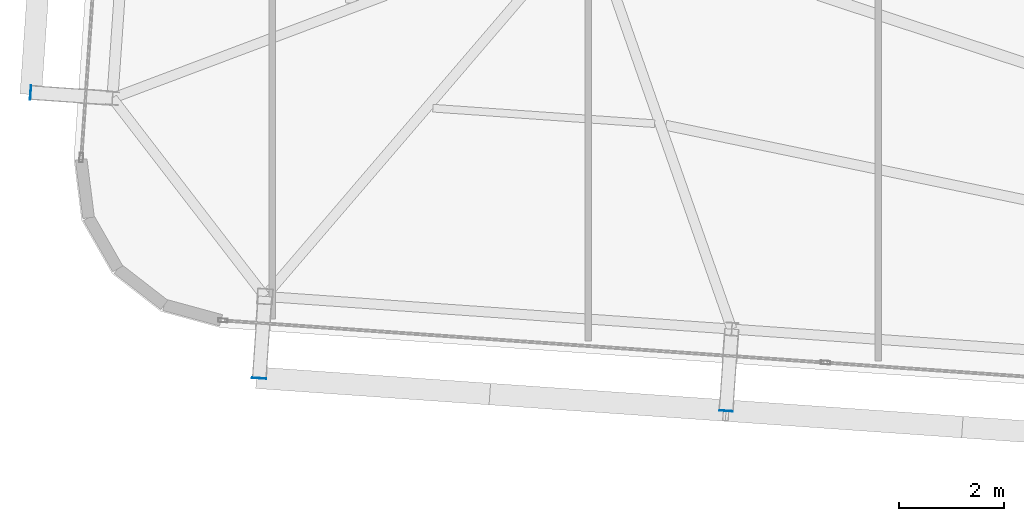
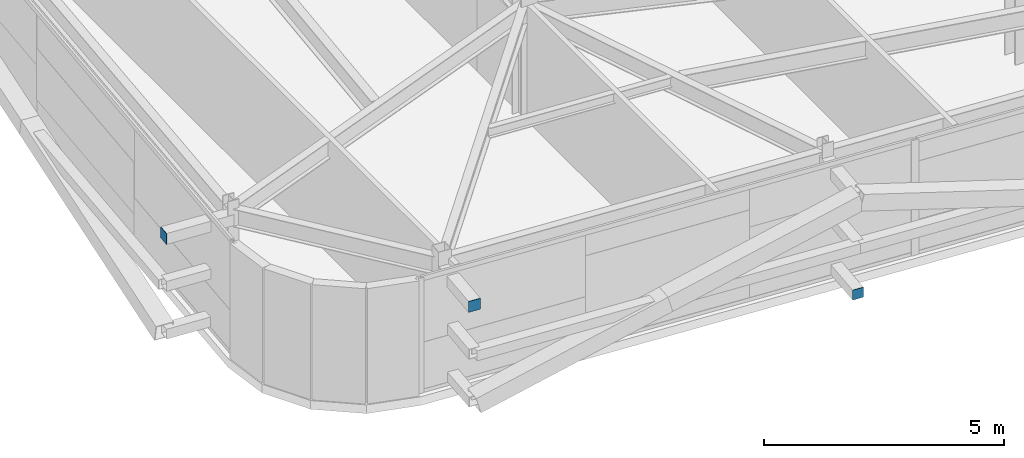
# One storey, part 27 of 39: 3 plates.
"""IFC4 building model written with IfcOpenShell, lengths in metres."""

import ifcopenshell
import ifcopenshell.guid

model = None  # the IFC model being written
_history = None  # IfcOwnerHistory: only IFC2X3 demands one
_inside = {}  # id of a spatial element -> (the spatial element, [elements in it])
_under = {}  # id of a project, library or spatial element -> (it, [spatial elements below it])
_declared = {}  # id of a project -> (the project, [libraries it declares])
_typed = {}  # id of a type object -> (the type object, [elements of that type])
_made_of = {}  # id of a material, layer set ... -> (it, [elements and type objects made of it])


def new_model(schema):
    """Start an empty IFC model of exactly this schema.

    Asked for "IFC4X3", IfcOpenShell would pick the latest addendum, in which some entities
    have other attributes; the version numbers below select the first issue.
    IFC2X3 requires an IfcOwnerHistory on every rooted entity: one is made here for all.
    """
    global model, _history
    if schema == "IFC4X3":
        model = ifcopenshell.file(schema_version=(4, 3, 0, 0))
    else:
        model = ifcopenshell.file(schema=schema)
    _inside.clear()
    _under.clear()
    _declared.clear()
    _typed.clear()
    _made_of.clear()
    _history = None
    if model.schema == "IFC2X3":
        org = make("IfcOrganization", Name="unknown")
        user = make(
            "IfcPersonAndOrganization",
            ThePerson=make("IfcPerson", FamilyName="unknown"),
            TheOrganization=org,
        )
        app = make(
            "IfcApplication",
            ApplicationDeveloper=org,
            Version="unknown",
            ApplicationFullName="unknown",
            ApplicationIdentifier="unknown",
        )
        _history = make(
            "IfcOwnerHistory",
            OwningUser=user,
            OwningApplication=app,
            ChangeAction="ADDED",
            CreationDate=0,
        )
    return model


def make(cls, **values):
    """One entity of the class cls with the attributes given. An attribute that is None is left unset."""
    return model.create_entity(
        cls, **{name: value for name, value in values.items() if value is not None}
    )


def rooted(cls, **values):
    """An entity with a GlobalId (a new one), such as an element, a storey or a relation."""
    return make(cls, GlobalId=ifcopenshell.guid.new(), OwnerHistory=_history, **values)


def si_unit(unit_type, name, prefix=None):
    """IfcSIUnit, for example si_unit("LENGTHUNIT", "METRE", prefix="MILLI")."""
    return make("IfcSIUnit", UnitType=unit_type, Prefix=prefix, Name=name)


def assignment(units):
    """IfcUnitAssignment: the units of a project."""
    return None if units is None else make("IfcUnitAssignment", Units=units)


def point(xyz):
    """IfcCartesianPoint."""
    return None if xyz is None else make("IfcCartesianPoint", Coordinates=xyz)


def direction(xyz):
    """IfcDirection."""
    return None if xyz is None else make("IfcDirection", DirectionRatios=xyz)


def frame(location, z_axis=None, x_axis=None):
    """IfcAxis2Placement3D, a coordinate frame: its origin and axes. An axis left out is left unset."""
    return make(
        "IfcAxis2Placement3D",
        Location=point(location),
        Axis=direction(z_axis),
        RefDirection=direction(x_axis),
    )


def frame_2d(location, x_axis=None):
    """IfcAxis2Placement2D, a coordinate frame in the plane: its origin and x axis."""
    return make(
        "IfcAxis2Placement2D", Location=point(location), RefDirection=direction(x_axis)
    )


def origin():
    """The frame at (0, 0, 0) with its axes left unset."""
    return frame((0.0, 0.0, 0.0))


def origin_2d():
    """The frame at (0, 0) in the plane with its x axis left unset."""
    return frame_2d((0.0, 0.0))


def place(relative_to, where):
    """IfcLocalPlacement: puts the frame where relative to a parent placement (None: the world)."""
    return make(
        "IfcLocalPlacement", PlacementRelTo=relative_to, RelativePlacement=where
    )


def context(
    kind, dimensions, precision=None, world=None, true_north=None, identifier=None
):
    """IfcGeometricRepresentationContext, for example the 3D "Model" context."""
    return make(
        "IfcGeometricRepresentationContext",
        ContextIdentifier=identifier,
        ContextType=kind,
        CoordinateSpaceDimension=dimensions,
        Precision=precision,
        WorldCoordinateSystem=world,
        TrueNorth=true_north,
    )


def subcontext(parent, identifier, kind, view, scale=None):
    """IfcGeometricRepresentationSubContext, for example "Body" below "Model"."""
    return make(
        "IfcGeometricRepresentationSubContext",
        ContextIdentifier=identifier,
        ContextType=kind,
        ParentContext=parent,
        TargetScale=scale,
        TargetView=view,
    )


def project(units=None, contexts=None):
    """IfcProject with its units and contexts."""
    return rooted(
        "IfcProject",
        Name="project",
        RepresentationContexts=contexts,
        UnitsInContext=assignment(units),
    )


def spatial(cls, under=None, at=None, **own):
    """A site, building, storey or space (cls), placed at a placement, below another one or the project."""
    s = rooted(cls, ObjectPlacement=at, **own)
    if under is not None:
        _under.setdefault(under.id(), (under, []))[1].append(s)
    return s


def profile(cls, at=None, kind="AREA", **sizes):
    """A parametric profile (cls). Its sizes go by their IFC names, for example OverallWidth=200.0."""
    return make(cls, ProfileType=kind, Position=at, **sizes)


def rectangle(**sizes):
    """IfcRectangleProfileDef."""
    return profile("IfcRectangleProfileDef", **sizes)


def extrude(swept, where, along, depth):
    """IfcExtrudedAreaSolid: the profile swept, set in the frame where, extruded along a direction by depth."""
    return make(
        "IfcExtrudedAreaSolid",
        SweptArea=swept,
        Position=where,
        ExtrudedDirection=direction(along),
        Depth=depth,
    )


def shape(context_of_items, identifier, shape_type, items):
    """IfcShapeRepresentation: the items that make up one representation, for example the "Body"."""
    return make(
        "IfcShapeRepresentation",
        ContextOfItems=context_of_items,
        RepresentationIdentifier=identifier,
        RepresentationType=shape_type,
        Items=items,
    )


def source(mapping_origin, context_of_items, identifier, shape_type, items):
    """IfcRepresentationMap: a shape defined once, which mapped items show again and again."""
    return make(
        "IfcRepresentationMap",
        MappingOrigin=mapping_origin,
        MappedRepresentation=shape(context_of_items, identifier, shape_type, items),
    )


def transform(
    local_origin,
    x_axis=None,
    y_axis=None,
    z_axis=None,
    scale=None,
    scale2=None,
    scale3=None,
    uniform=True,
):
    """IfcCartesianTransformationOperator3D, or its non-uniform kind. x_axis, y_axis, z_axis: its Axis1, 2, 3."""
    if uniform:
        return make(
            "IfcCartesianTransformationOperator3D",
            Axis1=direction(x_axis),
            Axis2=direction(y_axis),
            LocalOrigin=point(local_origin),
            Scale=scale,
            Axis3=direction(z_axis),
        )
    return make(
        "IfcCartesianTransformationOperator3DnonUniform",
        Axis1=direction(x_axis),
        Axis2=direction(y_axis),
        LocalOrigin=point(local_origin),
        Scale=scale,
        Axis3=direction(z_axis),
        Scale2=scale2,
        Scale3=scale3,
    )


def mapped(mapping_source, mapping_target):
    """IfcMappedItem: shows the shape of a source again, moved by a transform."""
    return make(
        "IfcMappedItem", MappingSource=mapping_source, MappingTarget=mapping_target
    )


def material(Name=None, Category=None):
    """IfcMaterial."""
    return make("IfcMaterial", Name=Name, Category=Category)


def layer(
    of_material, thickness, ventilated=None, Name=None, Category=None, Priority=None
):
    """IfcMaterialLayer: one layer of a wall or slab, of a material (None: an air gap)."""
    return make(
        "IfcMaterialLayer",
        Material=of_material,
        LayerThickness=thickness,
        IsVentilated=ventilated,
        Name=Name,
        Category=Category,
        Priority=Priority,
    )


def layer_set(layers, Name=None):
    """IfcMaterialLayerSet."""
    return make("IfcMaterialLayerSet", MaterialLayers=layers, LayerSetName=Name)


def made_of(thing, what):
    """Note that an element or type object is made of a material, layer set ...; save() writes the relation."""
    if what is not None:
        _made_of.setdefault(what.id(), (what, []))[1].append(thing)
    return thing


def type_object(cls, material=None, **own):
    """A type object (cls), such as IfcWallType, which elements share."""
    return made_of(rooted(cls, **own), material)


def element(
    cls,
    number,
    at=None,
    inside=None,
    cuts=None,
    type_object=None,
    material=None,
    context=None,
    identifier="Body",
    shape_type=None,
    held_by="IfcProductDefinitionShape",
    body=None,
    shapes=None,
    **own,
):
    """One element of the class cls, such as IfcWall. Its Tag is "e" and its number.

    at: its placement. inside: the storey or other place that contains it. cuts: it is an
    opening in that element (IfcRelVoidsElement). A single representation is given by context,
    identifier, shape_type and body (its items); several are given by shapes. held_by: the class
    of the entity that holds the representations. save() writes the other relations.
    """
    e = rooted(cls, Tag="e%d" % number, ObjectPlacement=at, **own)
    if body is not None:
        shapes = [shape(context, identifier, shape_type, body)]
    if shapes is not None:
        e.Representation = make(held_by, Representations=shapes)
    if inside is not None:
        _inside.setdefault(inside.id(), (inside, []))[1].append(e)
    if cuts is not None:
        rooted(
            "IfcRelVoidsElement", RelatingBuildingElement=cuts, RelatedOpeningElement=e
        )
    if type_object is not None:
        _typed.setdefault(type_object.id(), (type_object, []))[1].append(e)
    return made_of(e, material)


def aggregate(whole, parts):
    """IfcRelAggregates: a whole, such as a stair, and the parts it consists of."""
    return rooted("IfcRelAggregates", RelatingObject=whole, RelatedObjects=parts)


def save(model, path):
    """Write the relations noted so far, then the file.

    IfcRelAggregates (storeys below a building ...), IfcRelContainedInSpatialStructure (elements
    in a storey), IfcRelDefinesByType, IfcRelAssociatesMaterial and IfcRelDeclares: one each for
    every whole, place, type object, material and project.
    """
    for whole, parts in _under.values():
        aggregate(whole, parts)
    for where, things in _inside.values():
        rooted(
            "IfcRelContainedInSpatialStructure",
            RelatedElements=things,
            RelatingStructure=where,
        )
    for kind, things in _typed.values():
        rooted("IfcRelDefinesByType", RelatedObjects=things, RelatingType=kind)
    for what, things in _made_of.values():
        rooted("IfcRelAssociatesMaterial", RelatedObjects=things, RelatingMaterial=what)
    for by, libraries in _declared.values():
        rooted("IfcRelDeclares", RelatingContext=by, RelatedDefinitions=libraries)
    model.write(path)


model = new_model("IFC4")

# Units and contexts
model_context = context("Model", 3, precision=1e-05, world=origin(), true_north=direction((0.0, 1.0)))
body_context = subcontext(model_context, "Body", "Model", "MODEL_VIEW")
ifc_project = project(units=[si_unit("LENGTHUNIT", "METRE"), si_unit("AREAUNIT", "SQUARE_METRE"), si_unit("VOLUMEUNIT", "CUBIC_METRE"), si_unit("PLANEANGLEUNIT", "RADIAN"), si_unit("MASSUNIT", "GRAM", prefix="KILO")], contexts=[model_context])

# Site, building, storey
site_placement = place(None, origin())
site = spatial("IfcSite", under=ifc_project, at=site_placement, CompositionType="ELEMENT")
building_placement = place(site_placement, origin())
building = spatial("IfcBuilding", under=site, at=building_placement, Name="Taldren Reach Tower", CompositionType="ELEMENT")
storey_placement = place(building_placement, frame((0.0, 0.0, 120.39990234375)))
storey = spatial("IfcBuildingStorey", under=building, at=storey_placement, Name="L36", CompositionType="ELEMENT", Elevation=120.39990234375)

# Plates
ifc_material_1 = material(Name="Steel Gr 450 (C450L0)", Category="steel")
ifc_layer_1 = layer(ifc_material_1, 0.011962890625)
ifc_layer_set_1 = layer_set([ifc_layer_1], Name="Steel Gr 450 (C450L0)")
plate_type_1 = type_object("IfcPlateType", Name="PL-CAP-275", PredefinedType="SHEET", material=ifc_layer_set_1)
shared_shape_1 = source(origin(), body_context, "Body", "SweptSolid", [
    extrude(rectangle(XDim=0.27490234375, YDim=0.011962890625, at=origin_2d()), origin(), (0.0, 0.0, 1.0), 0.27490234375),
])
plate_1_placement = place(storey_placement, frame((11.755126953125, 3.7861328125, 2.5126953125), z_axis=(0.0, 0.0, 1.0), x_axis=(0.99756405026, -0.069756473744, 0.0)))
element("IfcPlate", 1, at=plate_1_placement, inside=storey, type_object=plate_type_1, Name="Tie strut end cap plate B3-S1 L36", PredefinedType="SHEET", context=body_context, shape_type="MappedRepresentation", body=[
    mapped(shared_shape_1, transform((0.0, 0.0, 0.0), scale=1.0)),
])
shared_shape_2 = source(origin(), body_context, "Body", "SweptSolid", [
    extrude(rectangle(XDim=0.011962890625, YDim=0.27490234375, at=origin_2d()), origin(), (0.0, 0.0, 1.0), 0.27490234375),
])
plate_2_placement = place(storey_placement, frame((7.416748046875, 9.2080078125, 2.5126953125), z_axis=(0.0, 0.0, 1.0), x_axis=(0.99756405026, -0.069756473744, 0.0)))
element("IfcPlate", 2, at=plate_2_placement, inside=storey, type_object=plate_type_1, Name="Tie strut end cap plate B3-W1 L36", PredefinedType="SHEET", context=body_context, shape_type="MappedRepresentation", body=[
    mapped(shared_shape_2, transform((0.0, 0.0, 0.0), scale=1.0)),
])
ifc_material_2 = material(Name="Steel Gr 350 (C350L0)", Category="steel")
ifc_layer_2 = layer(ifc_material_2, 0.011962890625)
ifc_layer_set_2 = layer_set([ifc_layer_2], Name="Steel Gr 350 (C350L0)")
plate_type_2 = type_object("IfcPlateType", Name="PL-CAP-250", PredefinedType="SHEET", material=ifc_layer_set_2)
shared_shape_3 = source(origin(), body_context, "Body", "SweptSolid", [
    extrude(rectangle(XDim=0.25, YDim=0.011962890625, at=origin_2d()), origin(), (0.0, 0.0, 1.0), 0.25),
])
plate_3_placement = place(storey_placement, frame((20.61328125, 3.166748046875, 0.09521484375), z_axis=(0.0, 0.0, 1.0), x_axis=(0.99756405026, -0.069756473744, 0.0)))
element("IfcPlate", 3, at=plate_3_placement, inside=storey, type_object=plate_type_2, Name="Tie strut end cap plate B3-S2 L36", PredefinedType="SHEET", context=body_context, shape_type="MappedRepresentation", body=[
    mapped(shared_shape_3, transform((0.0, 0.0, 0.0), scale=1.0)),
])

save(model, "model.ifc")
